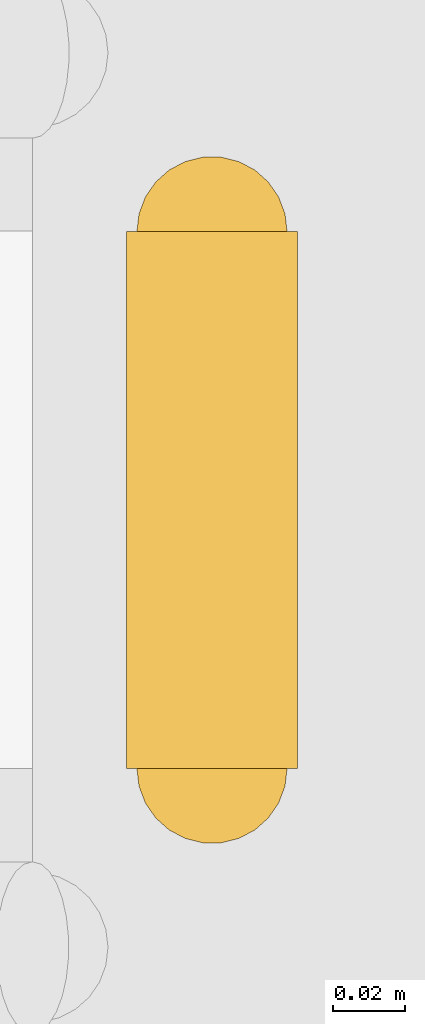
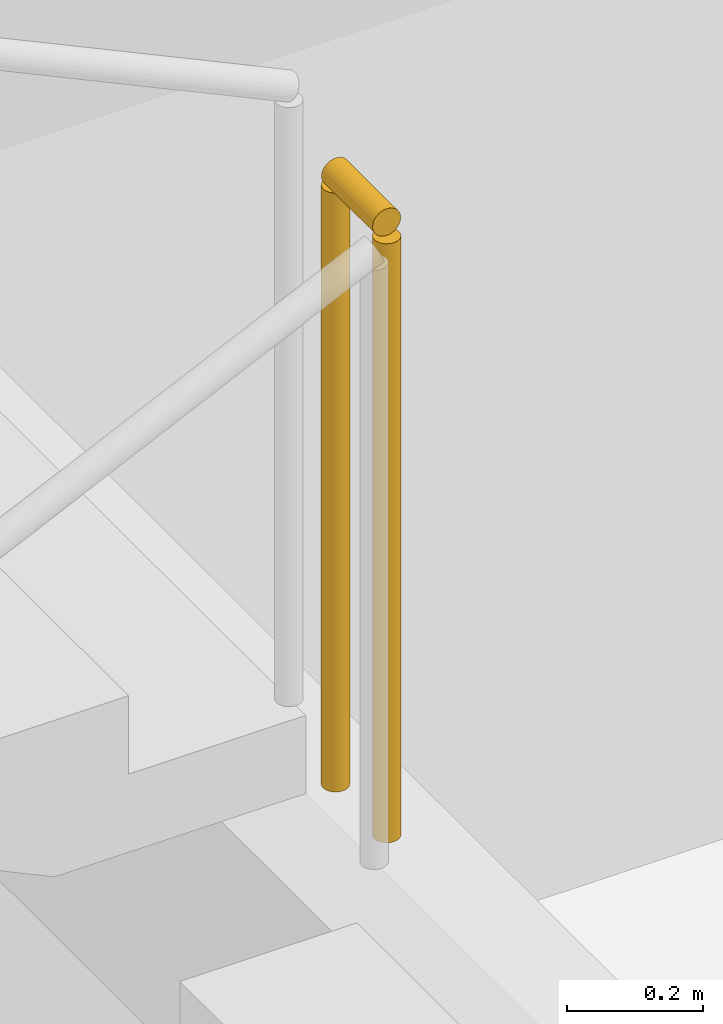
# One storey, part 60 of 70: 1 railing.
"""IFC4 building model written with IfcOpenShell, lengths in metres."""

from ifc_helpers import new_model, si_unit, direction, frame, origin, origin_2d, place, context, subcontext, project, spatial, circle, extrude, material, type_object, element, save


model = new_model("IFC4")

# Units and contexts
model_context = context("Model", 3, precision=1e-05, world=origin(), true_north=direction((0.0, 1.0)))
body_context = subcontext(model_context, "Body", "Model", "MODEL_VIEW")
ifc_project = project(units=[si_unit("LENGTHUNIT", "METRE"), si_unit("AREAUNIT", "SQUARE_METRE"), si_unit("VOLUMEUNIT", "CUBIC_METRE"), si_unit("PLANEANGLEUNIT", "RADIAN"), si_unit("MASSUNIT", "GRAM", prefix="KILO")], contexts=[model_context])

# Site, building, storey
site_placement = place(None, origin())
site = spatial("IfcSite", under=ifc_project, at=site_placement, CompositionType="ELEMENT")
building_placement = place(site_placement, origin())
building = spatial("IfcBuilding", under=site, at=building_placement, Name="Cumbredor Promenade Congress Hotel", CompositionType="ELEMENT")
storey_placement = place(building_placement, frame((0.0, 0.0, -7.56005859375)))
storey = spatial("IfcBuildingStorey", under=building, at=storey_placement, Name="B02", CompositionType="ELEMENT", Elevation=-7.56005859375)

# Railing
ifc_material = material(Name="Brushed stainless steel", Category="steel")
railing_type = type_object("IfcRailingType", Name="Interior Void & Stair Guardrail GR-1100", PredefinedType="GUARDRAIL", material=ifc_material)
railing_placement = place(storey_placement, frame((64.10009765625, 64.0, 1.68017578125)))
element("IfcRailing", 1, at=railing_placement, inside=storey, type_object=railing_type, Name="B02 ST-07 stair guard 2", PredefinedType="GUARDRAIL", context=body_context, shape_type="SweptSolid", body=[
    extrude(circle(Radius=0.02392578125, at=origin_2d()), frame((0.0, 0.0, 1.09619140625), z_axis=(0.0, 1.0, 0.0), x_axis=(-1.0, 0.0, 0.0)), (0.0, 0.0, 1.0), 0.14990234375),
    extrude(circle(Radius=0.02099609375, at=origin_2d()), origin(), (0.0, 0.0, 1.0), 1.072021484375),
    extrude(circle(Radius=0.02099609375, at=origin_2d()), frame((0.0, 0.14990234375, 0.0)), (0.0, 0.0, 1.0), 1.072021484375),
])

save(model, "model.ifc")
